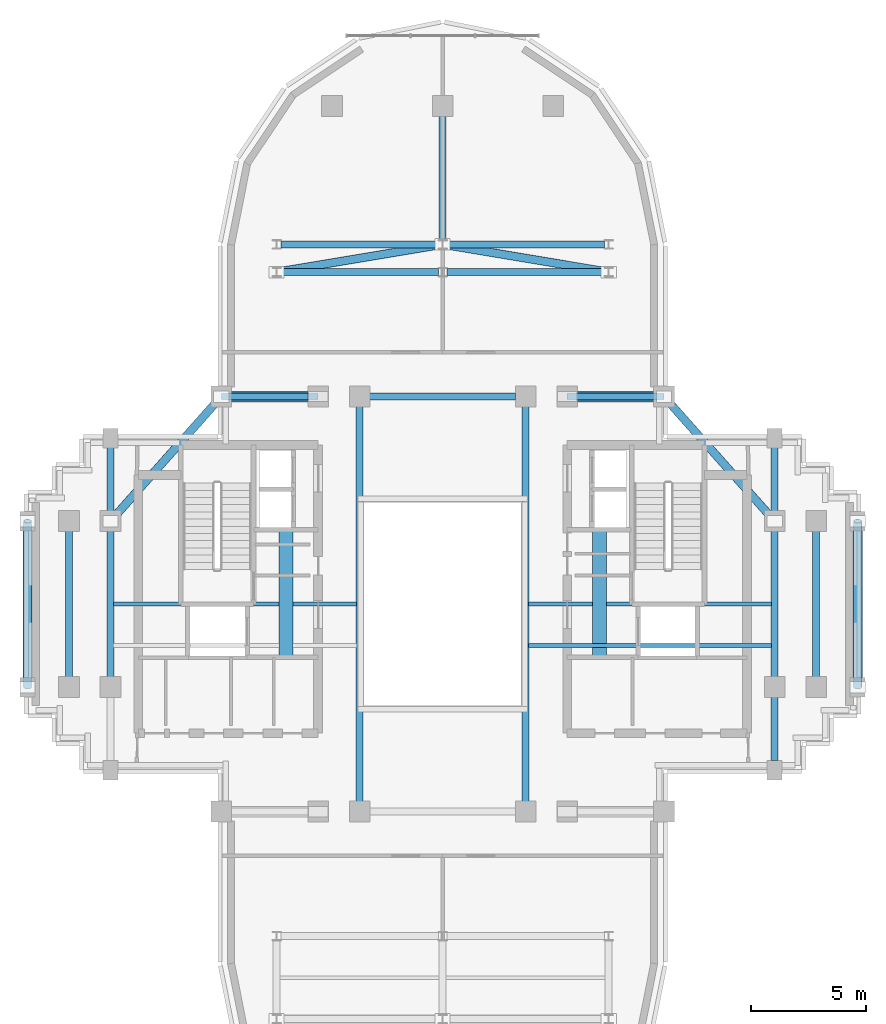
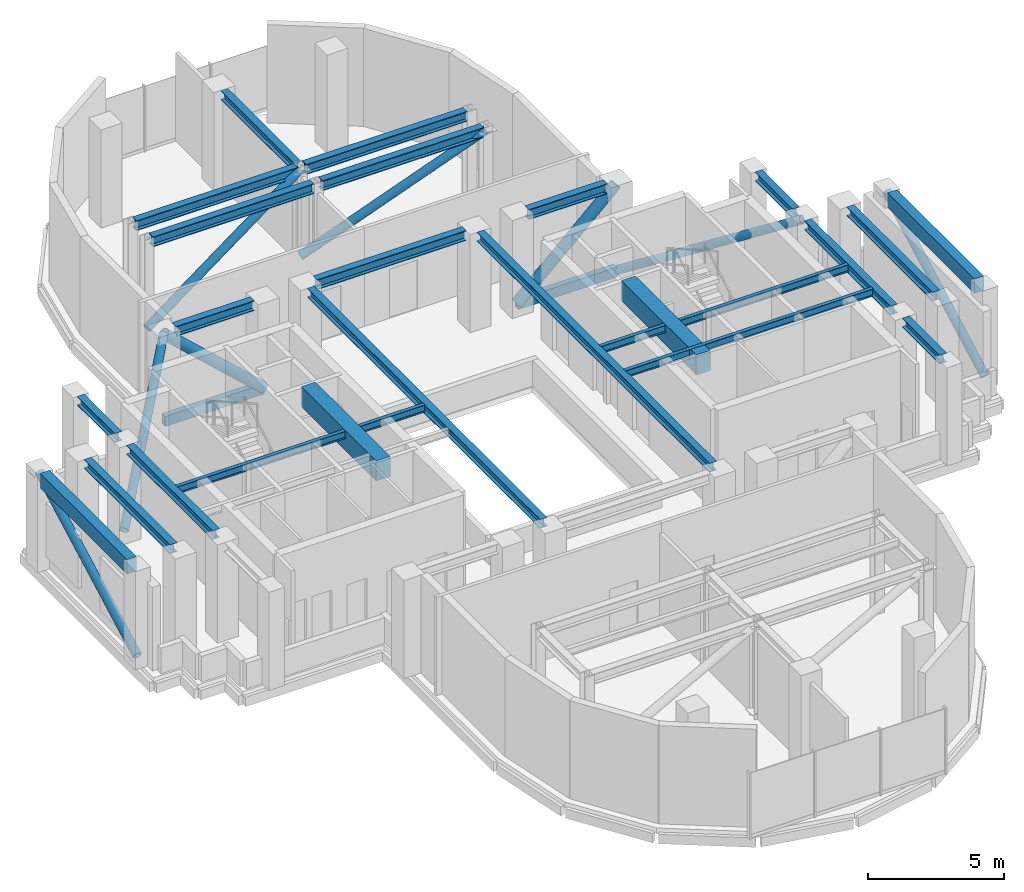
# One storey, part 3 of 11: 24 beams, 10 members.
"""IFC4 building model written with IfcOpenShell, lengths in metres."""

from ifc_helpers import new_model, si_unit, direction, frame, origin, origin_2d, place, context, subcontext, project, spatial, rectangle, hollow_rectangle, hollow_circle, i_section, extrude, source, transform, mapped, material, material_profile, profile_set, type_object, element, save


model = new_model("IFC4")

# Units and contexts
model_context = context("Model", 3, precision=1e-05, world=origin(), true_north=direction((0.0, 1.0)))
body_context = subcontext(model_context, "Body", "Model", "MODEL_VIEW")
ifc_project = project(units=[si_unit("LENGTHUNIT", "METRE"), si_unit("AREAUNIT", "SQUARE_METRE"), si_unit("VOLUMEUNIT", "CUBIC_METRE"), si_unit("PLANEANGLEUNIT", "RADIAN"), si_unit("MASSUNIT", "GRAM", prefix="KILO")], contexts=[model_context])

# Site, building, storey
site_placement = place(None, origin())
site = spatial("IfcSite", under=ifc_project, at=site_placement, CompositionType="ELEMENT")
building_placement = place(site_placement, origin())
building = spatial("IfcBuilding", under=site, at=building_placement, Name="Keilestroom Media Tower", CompositionType="ELEMENT")
storey_placement = place(building_placement, frame((0.0, 0.0, 214.800048828125)))
storey = spatial("IfcBuildingStorey", under=building, at=storey_placement, Name="L59", CompositionType="ELEMENT", Elevation=214.800048828125)

# Beams
ifc_material_1 = material(Name="Concrete C70/85", Category="concrete")
ifc_material_profile_1 = material_profile(ifc_material_1, rectangle(XDim=0.60009765625, YDim=0.89990234375, at=origin_2d()), Name="RC 600x900")
ifc_profile_set_1 = profile_set([ifc_material_profile_1], Name="Concrete C70/85")
beam_type_1 = type_object("IfcBeamType", Name="Core-Coupling-Lintel-Beam-RC-600x900", PredefinedType="LINTEL", material=ifc_profile_set_1)
shared_shape_1 = source(origin(), body_context, "Body", "SweptSolid", [
    extrude(rectangle(XDim=0.60009765625, YDim=0.89990234375, at=origin_2d()), origin(), (0.0, 0.0, 1.0), 5.52001953125),
])
for number, where, z_axis, x_axis, name in (
    (1, (-6.800048828125, -2.300048828125, 3.9599609375), (0.0, 1.0, 0.0), (-1.0, 0.0, 0.0), "L59 Beam CLB-1 CLB-L59-W"),
    (2, (6.800048828125, -2.300048828125, 3.9599609375), (0.0, 1.0, 0.0), (-1.0, 0.0, 0.0), "L59 Beam CLB-1 CLB-L59-E"),
):
    element("IfcBeam", number, at=place(storey_placement, frame(where, z_axis=z_axis, x_axis=x_axis)), inside=storey, type_object=beam_type_1, Name=name, PredefinedType="LINTEL", context=body_context, shape_type="MappedRepresentation", body=[
        mapped(shared_shape_1, transform((0.0, 0.0, 0.0), x_axis=(1.0, 0.0, 0.0), y_axis=(0.0, 1.0, 0.0), z_axis=(0.0, 0.0, 1.0), scale=1.0)),
    ])
ifc_material_2 = material(Name="Steel S355", Category="steel")
ifc_material_profile_2 = material_profile(ifc_material_2, i_section(OverallWidth=0.300048828125, OverallDepth=0.449951171875, WebThickness=0.011962890625, FlangeThickness=0.02587890625, at=origin_2d()), Name="HEB 450")
ifc_profile_set_2 = profile_set([ifc_material_profile_2], Name="Steel S355")
beam_type_2 = type_object("IfcBeamType", Name="Primary-Structural-Girder-HEB-450", PredefinedType="BEAM", material=ifc_profile_set_2)
shared_shape_2 = source(origin(), body_context, "Body", "SweptSolid", [
    extrude(i_section(OverallWidth=0.300048828125, OverallDepth=0.449951171875, WebThickness=0.011962890625, FlangeThickness=0.02587890625, at=origin_2d()), origin(), (0.0, 0.0, 1.0), 6.842041015625),
])
for number, where, z_axis, x_axis, name in (
    (3, (-7.02099609375, 14.39990234375, 4.18505859375), (1.0, 0.0, 0.0), (0.0, 1.0, 0.0), "L59 Beam BG-7 BM-L59-EW-023"),
    (4, (0.178955078125, 14.39990234375, 4.18505859375), (1.0, 0.0, 0.0), (0.0, 1.0, 0.0), "L59 Beam BG-7 BM-L59-EW-024"),
    (5, (-7.02099609375, 15.60009765625, 4.18505859375), (1.0, 0.0, 0.0), (0.0, 1.0, 0.0), "L59 Beam BG-7 BM-L59-EW-025"),
    (6, (0.178955078125, 15.60009765625, 4.18505859375), (1.0, 0.0, 0.0), (0.0, 1.0, 0.0), "L59 Beam BG-7 BM-L59-EW-026"),
):
    element("IfcBeam", number, at=place(storey_placement, frame(where, z_axis=z_axis, x_axis=x_axis)), inside=storey, type_object=beam_type_2, Name=name, PredefinedType="BEAM", context=body_context, shape_type="MappedRepresentation", body=[
        mapped(shared_shape_2, transform((0.0, 0.0, 0.0), x_axis=(1.0, 0.0, 0.0), y_axis=(0.0, 1.0, 0.0), z_axis=(0.0, 0.0, 1.0), scale=1.0)),
    ])
shared_shape_3 = source(origin(), body_context, "Body", "SweptSolid", [
    extrude(i_section(OverallWidth=0.300048828125, OverallDepth=0.449951171875, WebThickness=0.011962890625, FlangeThickness=0.02587890625, at=origin_2d()), origin(), (0.0, 0.0, 1.0), 3.33984375),
])
for number, where, z_axis, x_axis, name in (
    (7, (-9.169921875, 9.0, 4.18505859375), (1.0, 0.0, 0.0), (0.0, 1.0, 0.0), "L59 Beam BG-7 BM-L59-EW-018"),
    (8, (5.830078125, 9.0, 4.18505859375), (1.0, 0.0, 0.0), (0.0, 1.0, 0.0), "L59 Beam BG-7 BM-L59-EW-022"),
):
    element("IfcBeam", number, at=place(storey_placement, frame(where, z_axis=z_axis, x_axis=x_axis)), inside=storey, type_object=beam_type_2, Name=name, PredefinedType="BEAM", context=body_context, shape_type="MappedRepresentation", body=[
        mapped(shared_shape_3, transform((0.0, 0.0, 0.0), x_axis=(1.0, 0.0, 0.0), y_axis=(0.0, 1.0, 0.0), z_axis=(0.0, 0.0, 1.0), scale=1.0)),
    ])
shared_shape_4 = source(origin(), body_context, "Body", "SweptSolid", [
    extrude(i_section(OverallWidth=0.300048828125, OverallDepth=0.449951171875, WebThickness=0.011962890625, FlangeThickness=0.02587890625, at=origin_2d()), origin(), (0.0, 0.0, 1.0), 6.33984375),
])
beam_1_placement = place(storey_placement, frame((-3.169921875, 9.0, 4.18505859375), z_axis=(1.0, 0.0, 0.0), x_axis=(0.0, 1.0, 0.0)))
element("IfcBeam", 9, at=beam_1_placement, inside=storey, type_object=beam_type_2, Name="L59 Beam BG-7 BM-L59-EW-020", PredefinedType="BEAM", context=body_context, shape_type="MappedRepresentation", body=[
    mapped(shared_shape_4, transform((0.0, 0.0, 0.0), x_axis=(1.0, 0.0, 0.0), y_axis=(0.0, 1.0, 0.0), z_axis=(0.0, 0.0, 1.0), scale=1.0)),
])
ifc_material_3 = material(Name="Precast concrete C40/50", Category="concrete")
ifc_material_profile_3 = material_profile(ifc_material_3, rectangle(XDim=0.39990234375, YDim=0.64990234375, at=origin_2d()), Name="PC 400x650")
ifc_profile_set_3 = profile_set([ifc_material_profile_3], Name="Precast concrete C40/50")
beam_type_3 = type_object("IfcBeamType", Name="Perimeter-Spandrel-Beam-PC-400x650", PredefinedType="SPANDREL", material=ifc_profile_set_3)
shared_shape_5 = source(origin(), body_context, "Body", "SweptSolid", [
    extrude(rectangle(XDim=0.39990234375, YDim=0.64990234375, at=origin_2d()), origin(), (0.0, 0.0, 1.0), 6.39013671875),
])
for number, where, z_axis, x_axis, name in (
    (10, (-18.0, -3.195068359375, 4.0849609375), (0.0, 1.0, 0.0), (-1.0, 0.0, 0.0), "L59 Beam SPB-2 BM-L59-NS-027"),
    (11, (18.0, -3.195068359375, 4.0849609375), (0.0, 1.0, 0.0), (-1.0, 0.0, 0.0), "L59 Beam SPB-2 BM-L59-NS-050"),
):
    element("IfcBeam", number, at=place(storey_placement, frame(where, z_axis=z_axis, x_axis=x_axis)), inside=storey, type_object=beam_type_3, Name=name, PredefinedType="SPANDREL", context=body_context, shape_type="MappedRepresentation", body=[
        mapped(shared_shape_5, transform((0.0, 0.0, 0.0), x_axis=(1.0, 0.0, 0.0), y_axis=(0.0, 1.0, 0.0), z_axis=(0.0, 0.0, 1.0), scale=1.0)),
    ])
ifc_material_profile_4 = material_profile(ifc_material_2, i_section(OverallWidth=0.300048828125, OverallDepth=0.39990234375, WebThickness=0.011474609375, FlangeThickness=0.02392578125, at=origin_2d()), Name="HEB 400")
ifc_profile_set_4 = profile_set([ifc_material_profile_4], Name="Steel S355")
beam_type_4 = type_object("IfcBeamType", Name="Primary-Structural-Girder-HEB-400", PredefinedType="BEAM", material=ifc_profile_set_4)
shared_shape_6 = source(origin(), body_context, "Body", "SweptSolid", [
    extrude(i_section(OverallWidth=0.300048828125, OverallDepth=0.39990234375, WebThickness=0.011474609375, FlangeThickness=0.02392578125, at=origin_2d()), origin(), (0.0, 0.0, 1.0), 6.33984375),
])
for number, where, z_axis, x_axis, name in (
    (12, (-16.199951171875, -3.169921875, 4.2099609375), (0.0, 1.0, 0.0), (-1.0, 0.0, 0.0), "L59 Beam BG-8 BM-L59-NS-028"),
    (13, (-14.39990234375, -3.169921875, 4.2099609375), (0.0, 1.0, 0.0), (-1.0, 0.0, 0.0), "L59 Beam BG-8 BM-L59-NS-030"),
    (14, (14.39990234375, -3.169921875, 4.2099609375), (0.0, 1.0, 0.0), (-1.0, 0.0, 0.0), "L59 Beam BG-8 BM-L59-NS-047"),
    (15, (16.199951171875, -3.169921875, 4.2099609375), (0.0, 1.0, 0.0), (-1.0, 0.0, 0.0), "L59 Beam BG-8 BM-L59-NS-049"),
):
    element("IfcBeam", number, at=place(storey_placement, frame(where, z_axis=z_axis, x_axis=x_axis)), inside=storey, type_object=beam_type_4, Name=name, PredefinedType="BEAM", context=body_context, shape_type="MappedRepresentation", body=[
        mapped(shared_shape_6, transform((0.0, 0.0, 0.0), x_axis=(1.0, 0.0, 0.0), y_axis=(0.0, 1.0, 0.0), z_axis=(0.0, 0.0, 1.0), scale=1.0)),
    ])
shared_shape_7 = source(origin(), body_context, "Body", "SweptSolid", [
    extrude(i_section(OverallWidth=0.300048828125, OverallDepth=0.39990234375, WebThickness=0.011474609375, FlangeThickness=0.02392578125, at=origin_2d()), origin(), (0.0, 0.0, 1.0), 2.764892578125),
])
for number, where, z_axis, x_axis, name in (
    (16, (-14.39990234375, 4.030029296875, 4.2099609375), (0.0, 1.0, 0.0), (-1.0, 0.0, 0.0), "L59 Beam BG-8 BM-L59-NS-031"),
    (17, (14.39990234375, -6.794921875, 4.2099609375), (0.0, 1.0, 0.0), (-1.0, 0.0, 0.0), "L59 Beam BG-8 BM-L59-NS-046"),
    (18, (14.39990234375, 4.030029296875, 4.2099609375), (0.0, 1.0, 0.0), (-1.0, 0.0, 0.0), "L59 Beam BG-8 BM-L59-NS-048"),
):
    element("IfcBeam", number, at=place(storey_placement, frame(where, z_axis=z_axis, x_axis=x_axis)), inside=storey, type_object=beam_type_4, Name=name, PredefinedType="BEAM", context=body_context, shape_type="MappedRepresentation", body=[
        mapped(shared_shape_7, transform((0.0, 0.0, 0.0), x_axis=(1.0, 0.0, 0.0), y_axis=(0.0, 1.0, 0.0), z_axis=(0.0, 0.0, 1.0), scale=1.0)),
    ])
shared_shape_8 = source(origin(), body_context, "Body", "SweptSolid", [
    extrude(i_section(OverallWidth=0.300048828125, OverallDepth=0.39990234375, WebThickness=0.011474609375, FlangeThickness=0.02392578125, at=origin_2d()), origin(), (0.0, 0.0, 1.0), 17.14013671875),
])
for number, where, z_axis, x_axis, name in (
    (19, (-3.60009765625, -8.570068359375, 4.2099609375), (0.0, 1.0, 0.0), (-1.0, 0.0, 0.0), "L59 Beam BG-8 BM-L59-NS-036"),
    (20, (3.60009765625, -8.570068359375, 4.2099609375), (0.0, 1.0, 0.0), (-1.0, 0.0, 0.0), "L59 Beam BG-8 BM-L59-NS-041"),
):
    element("IfcBeam", number, at=place(storey_placement, frame(where, z_axis=z_axis, x_axis=x_axis)), inside=storey, type_object=beam_type_4, Name=name, PredefinedType="BEAM", context=body_context, shape_type="MappedRepresentation", body=[
        mapped(shared_shape_8, transform((0.0, 0.0, 0.0), x_axis=(1.0, 0.0, 0.0), y_axis=(0.0, 1.0, 0.0), z_axis=(0.0, 0.0, 1.0), scale=1.0)),
    ])
shared_shape_9 = source(origin(), body_context, "Body", "SweptSolid", [
    extrude(i_section(OverallWidth=0.300048828125, OverallDepth=0.39990234375, WebThickness=0.011474609375, FlangeThickness=0.02392578125, at=origin_2d()), origin(), (0.0, 0.0, 1.0), 5.396484375),
])
beam_2_placement = place(storey_placement, frame((0.0, 15.7734375, 4.179931640625), z_axis=(0.0, 1.0, 0.0), x_axis=(-1.0, 0.0, 0.0)))
element("IfcBeam", 21, at=beam_2_placement, inside=storey, type_object=beam_type_4, Name="L59 Beam BG-8 BM-L59-NS-040", PredefinedType="BEAM", context=body_context, shape_type="MappedRepresentation", body=[
    mapped(shared_shape_9, transform((0.0, 0.0, 0.0), x_axis=(1.0, 0.0, 0.0), y_axis=(0.0, 1.0, 0.0), z_axis=(0.0, 0.0, 1.0), scale=1.0)),
])
ifc_material_profile_5 = material_profile(ifc_material_2, i_section(OverallWidth=0.159912109375, OverallDepth=0.330078125, WebThickness=0.007568359375, FlangeThickness=0.011474609375, at=origin_2d()), Name="IPE 330")
ifc_profile_set_5 = profile_set([ifc_material_profile_5], Name="Steel S355")
beam_type_5 = type_object("IfcBeamType", Name="Secondary-Floor-Joist-IPE-330", PredefinedType="JOIST", material=ifc_profile_set_5)
shared_shape_10 = source(origin(), body_context, "Body", "SweptSolid", [
    extrude(i_section(OverallWidth=0.159912109375, OverallDepth=0.330078125, WebThickness=0.007568359375, FlangeThickness=0.011474609375, at=origin_2d()), origin(), (0.0, 0.0, 1.0), 10.5400390625),
])
for number, where, z_axis, x_axis, name in (
    (22, (3.72998046875, -1.800048828125, 4.244873046875), (1.0, 0.0, 0.0), (0.0, 1.0, 0.0), "L59 Beam BJ-6 JST-L59-055"),
    (23, (-14.27001953125, 0.0, 4.244873046875), (1.0, 0.0, 0.0), (0.0, 1.0, 0.0), "L59 Beam BJ-6 JST-L59-056"),
    (24, (3.72998046875, 0.0, 4.244873046875), (1.0, 0.0, 0.0), (0.0, 1.0, 0.0), "L59 Beam BJ-6 JST-L59-058"),
):
    element("IfcBeam", number, at=place(storey_placement, frame(where, z_axis=z_axis, x_axis=x_axis)), inside=storey, type_object=beam_type_5, Name=name, PredefinedType="JOIST", context=body_context, shape_type="MappedRepresentation", body=[
        mapped(shared_shape_10, transform((0.0, 0.0, 0.0), x_axis=(1.0, 0.0, 0.0), y_axis=(0.0, 1.0, 0.0), z_axis=(0.0, 0.0, 1.0), scale=1.0)),
    ])

# Members
ifc_material_4 = material(Name="Steel S460", Category="steel")
ifc_material_profile_6 = material_profile(ifc_material_4, hollow_rectangle(XDim=0.25, YDim=0.449951171875, WallThickness=0.01611328125, at=origin_2d()), Name="RHS 450x250x16")
ifc_profile_set_6 = profile_set([ifc_material_profile_6], Name="Steel S460")
member_type_1 = type_object("IfcMemberType", Name="Transfer-And-Belt-Truss-Chord-RHS-450x250x16", PredefinedType="CHORD", material=ifc_profile_set_6)
shared_shape_11 = source(origin(), body_context, "Body", "SweptSolid", [
    extrude(hollow_rectangle(XDim=0.25, YDim=0.449951171875, WallThickness=0.01611328125, at=origin_2d()), origin(), (0.0, 0.0, 1.0), 4.2001953125),
])
for number, where, z_axis, x_axis, name in (
    (25, (-5.39990234375, 9.0, 0.280029296875), (-1.0, 0.0, 0.0), (0.0, -1.0, 0.0), "L59 Outrigger OT-L59-WN Chord 1"),
    (26, (5.39990234375, 9.0, 0.280029296875), (1.0, 0.0, 0.0), (0.0, 1.0, 0.0), "L59 Outrigger OT-L59-EN Chord 1"),
):
    element("IfcMember", number, at=place(storey_placement, frame(where, z_axis=z_axis, x_axis=x_axis)), inside=storey, type_object=member_type_1, Name=name, PredefinedType="CHORD", context=body_context, shape_type="MappedRepresentation", body=[
        mapped(shared_shape_11, transform((0.0, 0.0, 0.0), x_axis=(1.0, 0.0, 0.0), y_axis=(0.0, 1.0, 0.0), z_axis=(0.0, 0.0, 1.0), scale=1.0)),
    ])
ifc_material_profile_7 = material_profile(ifc_material_4, hollow_circle(Radius=0.228515625, WallThickness=0.01611328125, at=origin_2d()), Name="CHS 457x16")
ifc_profile_set_7 = profile_set([ifc_material_profile_7], Name="Steel S460")
member_type_2 = type_object("IfcMemberType", Name="Outrigger-And-Belt-Brace-CHS-457x16", PredefinedType="BRACE", material=ifc_profile_set_7)
shared_shape_12 = source(origin(), body_context, "Body", "SweptSolid", [
    extrude(hollow_circle(Radius=0.228515625, WallThickness=0.01611328125, at=origin_2d()), origin(), (0.0, 0.0, 1.0), 5.718017578125),
])
for number, where, z_axis, x_axis, name in (
    (27, (-5.39990234375, 9.0, 0.280029296875), (-0.734561129153, 0.0, 0.678542517118), (0.0, -1.0, 0.0), "L59 Outrigger OT-L59-WN Brace 1"),
    (28, (5.39990234375, 9.0, 0.280029296875), (0.734561129153, 0.0, 0.678542517118), (0.0, 1.0, 0.0), "L59 Outrigger OT-L59-EN Brace 1"),
):
    element("IfcMember", number, at=place(storey_placement, frame(where, z_axis=z_axis, x_axis=x_axis)), inside=storey, type_object=member_type_2, Name=name, PredefinedType="BRACE", context=body_context, shape_type="MappedRepresentation", body=[
        mapped(shared_shape_12, transform((0.0, 0.0, 0.0), x_axis=(1.0, 0.0, 0.0), y_axis=(0.0, 1.0, 0.0), z_axis=(0.0, 0.0, 1.0), scale=1.0)),
    ])
ifc_material_profile_8 = material_profile(ifc_material_4, hollow_circle(Radius=0.177734375, WallThickness=0.01416015625, at=origin_2d()), Name="CHS 355.6x14.2")
ifc_profile_set_8 = profile_set([ifc_material_profile_8], Name="Steel S460")
member_type_3 = type_object("IfcMemberType", Name="Outrigger-And-Belt-Brace-CHS-355x14", PredefinedType="BRACE", material=ifc_profile_set_8)
shared_shape_13 = source(origin(), body_context, "Body", "SweptSolid", [
    extrude(hollow_circle(Radius=0.177734375, WallThickness=0.01416015625, at=origin_2d()), origin(), (0.0, 0.0, 1.0), 8.178955078125),
])
for number, where, z_axis, x_axis, name in (
    (29, (-18.0, -3.60009765625, 0.280029296875), (0.0, 0.880325370235, 0.474370364294), (-1.0, 0.0, 0.0), "L59 Belt Truss Brace BW1"),
    (30, (18.0, -3.60009765625, 0.280029296875), (0.0, 0.880325370235, 0.474370364294), (-1.0, 0.0, 0.0), "L59 Belt Truss Brace BE1"),
):
    element("IfcMember", number, at=place(storey_placement, frame(where, z_axis=z_axis, x_axis=x_axis)), inside=storey, type_object=member_type_3, Name=name, PredefinedType="BRACE", context=body_context, shape_type="MappedRepresentation", body=[
        mapped(shared_shape_13, transform((0.0, 0.0, 0.0), x_axis=(1.0, 0.0, 0.0), y_axis=(0.0, 1.0, 0.0), z_axis=(0.0, 0.0, 1.0), scale=1.0)),
    ])
shared_shape_14 = source(origin(), body_context, "Body", "SweptSolid", [
    extrude(hollow_circle(Radius=0.177734375, WallThickness=0.01416015625, at=origin_2d()), origin(), (0.0, 0.0, 1.0), 8.266357421875),
])
for number, where, z_axis, x_axis, name in (
    (31, (-7.199951171875, 14.39990234375, 0.280029296875), (0.870990649723, 0.145189720052, 0.469356190207), (-0.16442610654, 0.986389403576, 0.0), "L59 Belt Truss Brace BN1"),
    (32, (0.0, 15.60009765625, 0.280029296875), (0.870990649723, -0.145189720052, 0.469356190207), (0.16442610654, 0.986389403576, 0.0), "L59 Belt Truss Brace BN2"),
):
    element("IfcMember", number, at=place(storey_placement, frame(where, z_axis=z_axis, x_axis=x_axis)), inside=storey, type_object=member_type_3, Name=name, PredefinedType="BRACE", context=body_context, shape_type="MappedRepresentation", body=[
        mapped(shared_shape_14, transform((0.0, 0.0, 0.0), x_axis=(1.0, 0.0, 0.0), y_axis=(0.0, 1.0, 0.0), z_axis=(0.0, 0.0, 1.0), scale=1.0)),
    ])
shared_shape_15 = source(origin(), body_context, "Body", "SweptSolid", [
    extrude(hollow_circle(Radius=0.177734375, WallThickness=0.01416015625, at=origin_2d()), origin(), (0.0, 0.0, 1.0), 8.20068359375),
])
for number, where, z_axis, x_axis, name in (
    (33, (-14.39990234375, 3.60009765625, 0.280029296875), (0.585296072327, 0.658472966822, 0.473119286949), (-0.747416776234, 0.66435544899, 0.0), "L59 Belt Truss Brace BWN"),
    (34, (9.60009765625, 9.0, 0.280029296875), (0.585296072327, -0.658472966822, 0.473119286949), (0.747416776234, 0.66435544899, 0.0), "L59 Belt Truss Brace BEN"),
):
    element("IfcMember", number, at=place(storey_placement, frame(where, z_axis=z_axis, x_axis=x_axis)), inside=storey, type_object=member_type_3, Name=name, PredefinedType="BRACE", context=body_context, shape_type="MappedRepresentation", body=[
        mapped(shared_shape_15, transform((0.0, 0.0, 0.0), x_axis=(1.0, 0.0, 0.0), y_axis=(0.0, 1.0, 0.0), z_axis=(0.0, 0.0, 1.0), scale=1.0)),
    ])

save(model, "model.ifc")
